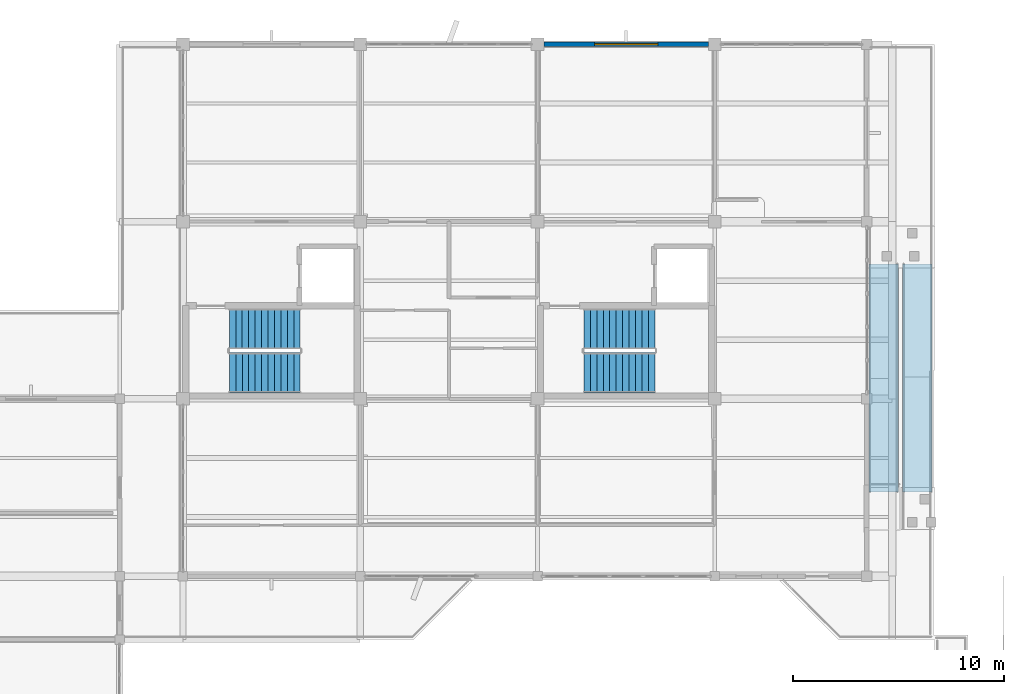
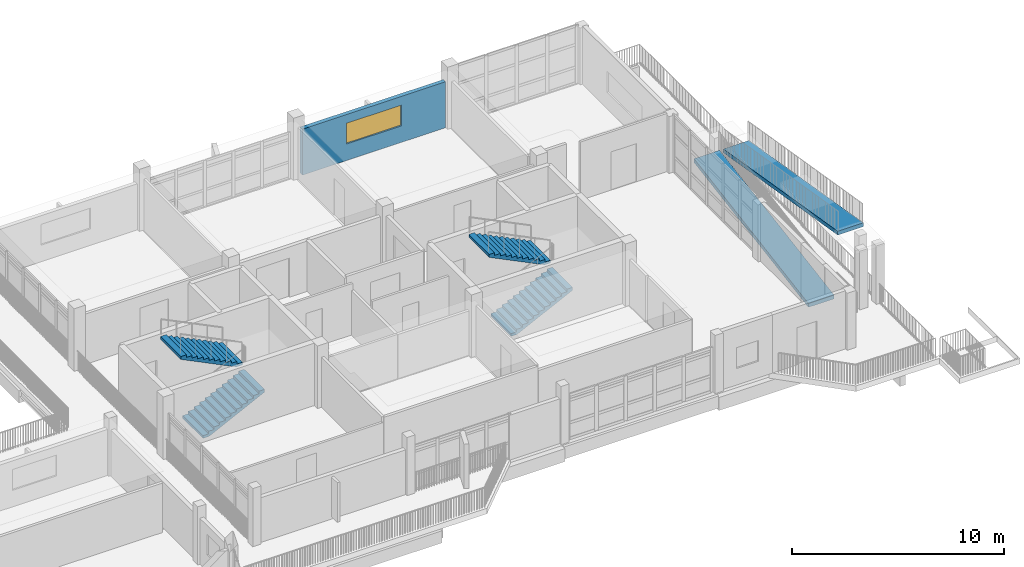
# One storey, part 23 of 33: 4 stair flights, 2 ramp flights, 1 wall, 1 window, 1 opening, 3 elements without a shape of their own.
"""IFC4 building model written with IfcOpenShell, lengths in metres."""

from ifc_helpers import new_model, si_unit, direction, frame, frame_2d, origin, place, context, subcontext, project, spatial, polyline, rectangle, outline, extrude, material, layer, layer_set, type_object, element, fill, aggregate, save


model = new_model("IFC4")

# Units and contexts
model_context = context("Model", 3, precision=1e-05, world=origin(), true_north=direction((0.0, 1.0)))
body_context = subcontext(model_context, "Body", "Model", "MODEL_VIEW")
ifc_project = project(units=[si_unit("LENGTHUNIT", "METRE"), si_unit("AREAUNIT", "SQUARE_METRE"), si_unit("VOLUMEUNIT", "CUBIC_METRE"), si_unit("PLANEANGLEUNIT", "RADIAN"), si_unit("MASSUNIT", "GRAM", prefix="KILO")], contexts=[model_context])

# Site, building, storey
site_placement = place(None, origin())
site = spatial("IfcSite", under=ifc_project, at=site_placement, CompositionType="ELEMENT")
building_placement = place(site_placement, origin())
building = spatial("IfcBuilding", under=site, at=building_placement, Name="Vanh Quang Courtyard School", CompositionType="ELEMENT")
storey_placement = place(building_placement, frame((0.0, 0.0, 18.60009765625)))
storey = spatial("IfcBuildingStorey", under=building, at=storey_placement, Name="L05", CompositionType="ELEMENT", Elevation=18.60009765625)

# Wall, opening, window
ifc_material_1 = material(Name="Concrete C30/37", Category="concrete")
ifc_layer_1 = layer(ifc_material_1, 0.219970703125)
ifc_layer_set_1 = layer_set([ifc_layer_1], Name="Concrete C30/37")
wall_type = type_object("IfcWallType", Name="W-EXT-220", PredefinedType="SOLIDWALL", material=ifc_layer_set_1)
wall_placement = place(storey_placement, frame((94.498046875, 96.60009765625, 0.0), z_axis=(0.0, 0.0, 1.0), x_axis=(1.0, 0.0, 0.0)))
wall = element("IfcWall", 1, at=wall_placement, inside=storey, type_object=wall_type, Name="Wall WE-04 (L05)", PredefinedType="SOLIDWALL", context=body_context, shape_type="SweptSolid", body=[
    extrude(rectangle(XDim=7.803955078125, YDim=0.219970703125, at=frame_2d((3.90185546875, 0.0))), origin(), (0.0, 0.0, 1.0), 2.64990234375),
])
opening_placement = place(wall_placement, frame((2.402099609375, 0.0, 0.949951171875)))
opening = element("IfcOpeningElement", 2, at=opening_placement, cuts=wall, Name="Opening WN-07", PredefinedType="OPENING", context=body_context, shape_type="SweptSolid", body=[
    extrude(rectangle(XDim=3.0, YDim=1.199951171875, at=frame_2d((1.5, 0.60009765625))), frame((0.0, 0.1201171875, 0.0), z_axis=(0.0, -1.0, 0.0), x_axis=(1.0, 0.0, 0.0)), (0.0, 0.0, 1.0), 0.239990234375),
])
ifc_material_2 = material(Name="Anodised aluminium and low-E double glazing", Category="aluminium")
window_type = type_object("IfcWindowType", Name="WIN-TYP-07", PartitioningType="SINGLE_PANEL", PredefinedType="WINDOW", material=ifc_material_2)
window_placement = place(opening_placement, origin())
window = element("IfcWindow", 3, at=window_placement, inside=storey, type_object=window_type, Name="Window WN-07 (L05)", OverallHeight=1.199951171875, OverallWidth=3.0, PartitioningType="SINGLE_PANEL", PredefinedType="WINDOW", context=body_context, shape_type="SweptSolid", body=[
    extrude(rectangle(XDim=3.0, YDim=1.199951171875, at=frame_2d((1.5, 0.60009765625))), frame((0.0, 0.030029296875, 0.0), z_axis=(0.0, -1.0, 0.0), x_axis=(1.0, 0.0, 0.0)), (0.0, 0.0, 1.0), 0.06005859375),
])
fill(opening, window)

# Stair, stair flights
stair_type = type_object("IfcStairType", Name="STR-CORE-1920", PredefinedType="HALF_TURN_STAIR", material=ifc_material_1)
stair_1_placement = place(storey_placement, origin())
stair_1 = element("IfcStair", 4, at=stair_1_placement, inside=storey, type_object=stair_type, Name="L05 ST-01", PredefinedType="HALF_TURN_STAIR")
stair_flight_type = type_object("IfcStairFlightType", Name="FLT-CORE-1920", PredefinedType="STRAIGHT", material=ifc_material_1)
stair_flight_1_placement = place(storey_placement, frame((79.60009765625, 81.0400390625, 0.0), z_axis=(0.0, 0.0, 1.0), x_axis=(1.0, 0.0, 0.0)))
stair_flight_1 = element("IfcStairFlight", 5, at=stair_flight_1_placement, type_object=stair_flight_type, Name="ST-01 flight 1", NumberOfRisers=12, NumberOfTreads=11, PredefinedType="STRAIGHT", RiserHeight=0.15, TreadLength=0.305, context=body_context, shape_type="SweptSolid", body=[
    extrude(outline(polyline([(0.0, 0.0), (0.0, 0.14990234375), (0.304931640625, 0.14990234375), (0.304931640625, 0.300048828125), (0.610107421875, 0.300048828125), (0.610107421875, 0.449951171875), (0.9150390625, 0.449951171875), (0.9150390625, 0.60009765625), (1.219970703125, 0.60009765625), (1.219970703125, 0.75), (1.52490234375, 0.75), (1.52490234375, 0.89990234375), (1.830078125, 0.89990234375), (1.830078125, 1.050048828125), (2.135009765625, 1.050048828125), (2.135009765625, 1.199951171875), (2.43994140625, 1.199951171875), (2.43994140625, 1.35009765625), (2.7451171875, 1.35009765625), (2.7451171875, 1.5), (3.050048828125, 1.5), (3.050048828125, 1.64990234375), (3.35498046875, 1.64990234375), (3.35498046875, 1.800048828125), (3.35498046875, 1.48291015625), (0.339599609375, 0.0), (0.0, 0.0)])), frame((0.0, 0.9599609375, 0.0), z_axis=(0.0, -1.0, 0.0), x_axis=(1.0, 0.0, 0.0)), (0.0, 0.0, 1.0), 1.919921875),
])
stair_flight_2_placement = place(storey_placement, frame((82.955078125, 83.1201171875, 1.7998046875), z_axis=(0.0, 0.0, 1.0), x_axis=(-1.0, 0.0, 0.0)))
stair_flight_2 = element("IfcStairFlight", 6, at=stair_flight_2_placement, type_object=stair_flight_type, Name="ST-01 flight 2", NumberOfRisers=12, NumberOfTreads=11, PredefinedType="STRAIGHT", RiserHeight=0.15, TreadLength=0.305, context=body_context, shape_type="SweptSolid", body=[
    extrude(outline(polyline([(0.0, 0.0), (0.0, 0.14990234375), (0.304931640625, 0.14990234375), (0.304931640625, 0.300048828125), (0.610107421875, 0.300048828125), (0.610107421875, 0.449951171875), (0.9150390625, 0.449951171875), (0.9150390625, 0.60009765625), (1.219970703125, 0.60009765625), (1.219970703125, 0.75), (1.52490234375, 0.75), (1.52490234375, 0.89990234375), (1.830078125, 0.89990234375), (1.830078125, 1.050048828125), (2.135009765625, 1.050048828125), (2.135009765625, 1.199951171875), (2.43994140625, 1.199951171875), (2.43994140625, 1.35009765625), (2.7451171875, 1.35009765625), (2.7451171875, 1.5), (3.050048828125, 1.5), (3.050048828125, 1.64990234375), (3.35498046875, 1.64990234375), (3.35498046875, 1.800048828125), (3.35498046875, 1.48291015625), (0.339599609375, 0.0), (0.0, 0.0)])), frame((0.0, 0.9599609375, 0.0), z_axis=(0.0, -1.0, 0.0), x_axis=(1.0, 0.0, 0.0)), (0.0, 0.0, 1.0), 1.919921875),
])
aggregate(stair_1, [stair_flight_1, stair_flight_2])

stair_2_placement = place(storey_placement, origin())
stair_2 = element("IfcStair", 7, at=stair_2_placement, inside=storey, type_object=stair_type, Name="L05 ST-02", PredefinedType="HALF_TURN_STAIR")
stair_flight_3_placement = place(storey_placement, frame((96.39990234375, 81.0400390625, 0.0), z_axis=(0.0, 0.0, 1.0), x_axis=(1.0, 0.0, 0.0)))
stair_flight_3 = element("IfcStairFlight", 8, at=stair_flight_3_placement, type_object=stair_flight_type, Name="ST-02 flight 1", NumberOfRisers=12, NumberOfTreads=11, PredefinedType="STRAIGHT", RiserHeight=0.15, TreadLength=0.305, context=body_context, shape_type="SweptSolid", body=[
    extrude(outline(polyline([(0.0, 0.0), (0.0, 0.14990234375), (0.304931640625, 0.14990234375), (0.304931640625, 0.300048828125), (0.610107421875, 0.300048828125), (0.610107421875, 0.449951171875), (0.9150390625, 0.449951171875), (0.9150390625, 0.60009765625), (1.219970703125, 0.60009765625), (1.219970703125, 0.75), (1.52490234375, 0.75), (1.52490234375, 0.89990234375), (1.830078125, 0.89990234375), (1.830078125, 1.050048828125), (2.135009765625, 1.050048828125), (2.135009765625, 1.199951171875), (2.43994140625, 1.199951171875), (2.43994140625, 1.35009765625), (2.7451171875, 1.35009765625), (2.7451171875, 1.5), (3.050048828125, 1.5), (3.050048828125, 1.64990234375), (3.35498046875, 1.64990234375), (3.35498046875, 1.800048828125), (3.35498046875, 1.48291015625), (0.339599609375, 0.0), (0.0, 0.0)])), frame((0.0, 0.9599609375, 0.0), z_axis=(0.0, -1.0, 0.0), x_axis=(1.0, 0.0, 0.0)), (0.0, 0.0, 1.0), 1.919921875),
])
stair_flight_4_placement = place(storey_placement, frame((99.7548828125, 83.1201171875, 1.7998046875), z_axis=(0.0, 0.0, 1.0), x_axis=(-1.0, 0.0, 0.0)))
stair_flight_4 = element("IfcStairFlight", 9, at=stair_flight_4_placement, type_object=stair_flight_type, Name="ST-02 flight 2", NumberOfRisers=12, NumberOfTreads=11, PredefinedType="STRAIGHT", RiserHeight=0.15, TreadLength=0.305, context=body_context, shape_type="SweptSolid", body=[
    extrude(outline(polyline([(0.0, 0.0), (0.0, 0.14990234375), (0.304931640625, 0.14990234375), (0.304931640625, 0.300048828125), (0.610107421875, 0.300048828125), (0.610107421875, 0.449951171875), (0.9150390625, 0.449951171875), (0.9150390625, 0.60009765625), (1.219970703125, 0.60009765625), (1.219970703125, 0.75), (1.52490234375, 0.75), (1.52490234375, 0.89990234375), (1.830078125, 0.89990234375), (1.830078125, 1.050048828125), (2.135009765625, 1.050048828125), (2.135009765625, 1.199951171875), (2.43994140625, 1.199951171875), (2.43994140625, 1.35009765625), (2.7451171875, 1.35009765625), (2.7451171875, 1.5), (3.050048828125, 1.5), (3.050048828125, 1.64990234375), (3.35498046875, 1.64990234375), (3.35498046875, 1.800048828125), (3.35498046875, 1.48291015625), (0.339599609375, 0.0), (0.0, 0.0)])), frame((0.0, 0.9599609375, 0.0), z_axis=(0.0, -1.0, 0.0), x_axis=(1.0, 0.0, 0.0)), (0.0, 0.0, 1.0), 1.919921875),
])
aggregate(stair_2, [stair_flight_3, stair_flight_4])

# Ramp, ramp flights
ramp_type = type_object("IfcRampType", Name="RAMP-ACC-1400", PredefinedType="TWO_STRAIGHT_RUN_RAMP", material=ifc_material_1)
ramp_placement = place(storey_placement, origin())
ramp = element("IfcRamp", 10, at=ramp_placement, inside=storey, type_object=ramp_type, Name="Ramp RMP-06 (L05)", PredefinedType="TWO_STRAIGHT_RUN_RAMP")
ifc_layer_2 = layer(ifc_material_1, 0.219970703125)
ifc_layer_set_2 = layer_set([ifc_layer_2], Name="Concrete C30/37")
ramp_flight_type = type_object("IfcRampFlightType", Name="RAMP-FLT-1400", PredefinedType="STRAIGHT", material=ifc_layer_set_2)
ramp_flight_1_placement = place(storey_placement, frame((110.60009765625, 75.39990234375, 0.0), z_axis=(0.0, 0.0, 1.0), x_axis=(0.0, 1.0, 0.0)))
ramp_flight_1 = element("IfcRampFlight", 11, at=ramp_flight_1_placement, type_object=ramp_flight_type, Name="Ramp Flight RF-01 (L05)", PredefinedType="STRAIGHT", context=body_context, shape_type="SweptSolid", body=[
    extrude(outline(polyline([(0.0, 0.0), (10.800048828125, 1.7998046875), (10.800048828125, 1.579833984375), (0.0, -0.219970703125), (0.0, 0.0)])), frame((0.0, 0.699951171875, 0.0), z_axis=(0.0, -1.0, 0.0), x_axis=(1.0, 0.0, 0.0)), (0.0, 0.0, 1.0), 1.39990234375),
])
ramp_flight_2_placement = place(storey_placement, frame((112.199951171875, 86.199951171875, 1.7998046875), z_axis=(0.0, 0.0, 1.0), x_axis=(0.0, -1.0, 0.0)))
ramp_flight_2 = element("IfcRampFlight", 12, at=ramp_flight_2_placement, type_object=ramp_flight_type, Name="Ramp Flight RF-01 (L05)", PredefinedType="STRAIGHT", context=body_context, shape_type="SweptSolid", body=[
    extrude(outline(polyline([(0.0, 0.0), (10.800048828125, 1.800048828125), (10.800048828125, 1.580078125), (0.0, -0.219970703125), (0.0, 0.0)])), frame((0.0, 0.699951171875, 0.0), z_axis=(0.0, -1.0, 0.0), x_axis=(1.0, 0.0, 0.0)), (0.0, 0.0, 1.0), 1.39990234375),
])
aggregate(ramp, [ramp_flight_1, ramp_flight_2])

save(model, "model.ifc")
